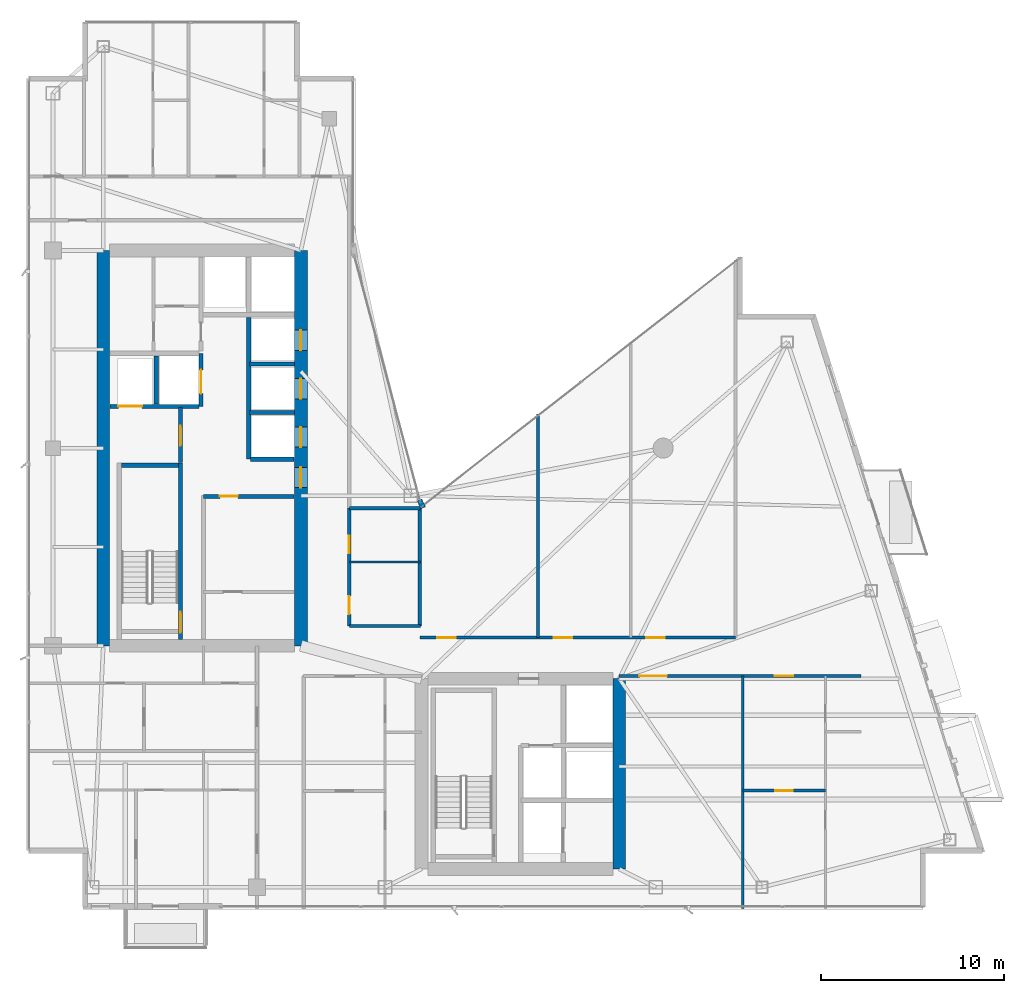
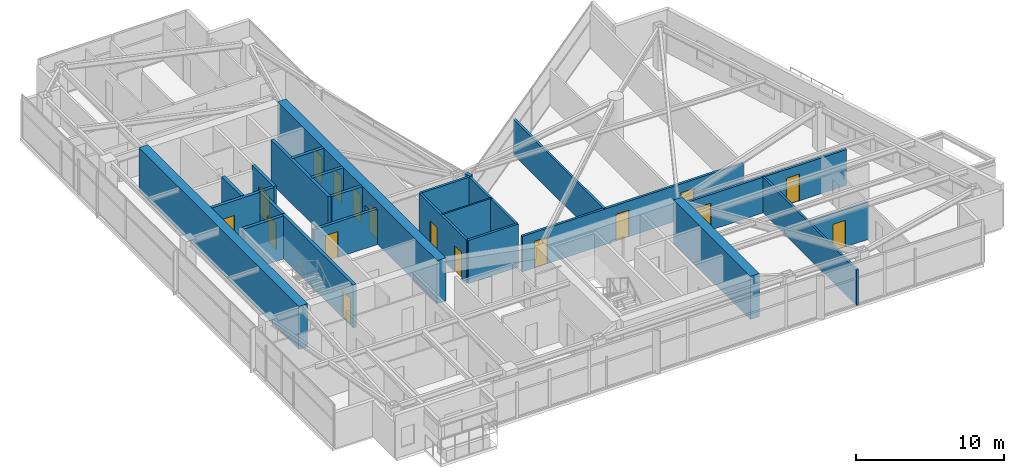
# One storey, part 24 of 29: 25 walls, 17 doors, 17 openings.
"""IFC4 building model written with IfcOpenShell, lengths in metres."""

from ifc_helpers import new_model, si_unit, direction, frame, frame_2d, origin, place, context, subcontext, project, spatial, rectangle, extrude, material, layer, layer_set, type_object, element, fill, save


model = new_model("IFC4")

# Units and contexts
model_context = context("Model", 3, precision=1e-05, world=origin(), true_north=direction((0.0, 1.0)))
body_context = subcontext(model_context, "Body", "Model", "MODEL_VIEW")
ifc_project = project(units=[si_unit("LENGTHUNIT", "METRE"), si_unit("AREAUNIT", "SQUARE_METRE"), si_unit("VOLUMEUNIT", "CUBIC_METRE"), si_unit("PLANEANGLEUNIT", "RADIAN"), si_unit("MASSUNIT", "GRAM", prefix="KILO")], contexts=[model_context])

# Site, building, storey
site_placement = place(None, origin())
site = spatial("IfcSite", under=ifc_project, at=site_placement, CompositionType="ELEMENT")
building_placement = place(site_placement, origin())
building = spatial("IfcBuilding", under=site, at=building_placement, Name="Calvorn Quay Hotel", CompositionType="ELEMENT")
storey_placement = place(building_placement, frame((0.0, 0.0, 211.0)))
storey = spatial("IfcBuildingStorey", under=building, at=storey_placement, Name="L52", CompositionType="ELEMENT", Elevation=211.0)

# Wall
ifc_material_1 = material(Name="Concrete C45", Category="concrete")
ifc_layer_1 = layer(ifc_material_1, 0.699951171875)
ifc_layer_set_1 = layer_set([ifc_layer_1], Name="WL-CORE-700")
wall_type_1 = type_object("IfcWallType", Name="WL-CORE-700", PredefinedType="SHEAR", material=ifc_layer_set_1)
wall_1_placement = place(storey_placement, frame((4.199951171875, 16.800048828125, 0.0), z_axis=(0.0, 0.0, 1.0), x_axis=(0.0, 1.0, 0.0)))
element("IfcWall", 1, at=wall_1_placement, inside=storey, type_object=wall_type_1, Name="West Core Shear Wall W (L52)", PredefinedType="SHEAR", context=body_context, shape_type="SweptSolid", body=[
    extrude(rectangle(XDim=21.599853515625, YDim=0.699951171875, at=frame_2d((10.7998046875, 0.0))), origin(), (0.0, 0.0, 1.0), 3.56005859375),
])

# Wall, openings, doors
wall_2_placement = place(storey_placement, frame((15.0, 16.800048828125, 0.0), z_axis=(0.0, 0.0, 1.0), x_axis=(0.0, 1.0, 0.0)))
wall_2 = element("IfcWall", 2, at=wall_2_placement, inside=storey, type_object=wall_type_1, Name="West Core Shear Wall E (L52)", PredefinedType="SHEAR", context=body_context, shape_type="SweptSolid", body=[
    extrude(rectangle(XDim=21.599853515625, YDim=0.699951171875, at=frame_2d((10.7998046875, 0.0))), origin(), (0.0, 0.0, 1.0), 3.56005859375),
])
opening_1_placement = place(wall_2_placement, frame((8.64990234375, 0.0, 0.0)))
opening_1 = element("IfcOpeningElement", 3, at=opening_1_placement, cuts=wall_2, Name="Opening D-L52-CW1", PredefinedType="OPENING", context=body_context, shape_type="SweptSolid", body=[
    extrude(rectangle(XDim=1.10009765625, YDim=2.199951171875, at=frame_2d((0.550048828125, 1.10009765625))), frame((0.0, 0.35986328125, 0.0), z_axis=(0.0, -1.0, 0.0), x_axis=(1.0, 0.0, 0.0)), (0.0, 0.0, 1.0), 0.719970703125),
])
opening_2_placement = place(wall_2_placement, frame((10.85009765625, 0.0, 0.0)))
opening_2 = element("IfcOpeningElement", 4, at=opening_2_placement, cuts=wall_2, Name="Opening LD-L52-M1", PredefinedType="OPENING", context=body_context, shape_type="SweptSolid", body=[
    extrude(rectangle(XDim=1.10009765625, YDim=2.199951171875, at=frame_2d((0.550048828125, 1.10009765625))), frame((0.0, 0.35986328125, 0.0), z_axis=(0.0, -1.0, 0.0), x_axis=(1.0, 0.0, 0.0)), (0.0, 0.0, 1.0), 0.719970703125),
])
opening_3_placement = place(wall_2_placement, frame((13.5, 0.0, 0.0)))
opening_3 = element("IfcOpeningElement", 5, at=opening_3_placement, cuts=wall_2, Name="Opening LD-L52-M2", PredefinedType="OPENING", context=body_context, shape_type="SweptSolid", body=[
    extrude(rectangle(XDim=1.10009765625, YDim=2.199951171875, at=frame_2d((0.550048828125, 1.10009765625))), frame((0.0, 0.35986328125, 0.0), z_axis=(0.0, -1.0, 0.0), x_axis=(1.0, 0.0, 0.0)), (0.0, 0.0, 1.0), 0.719970703125),
])
opening_4_placement = place(wall_2_placement, frame((16.14990234375, 0.0, 0.0)))
opening_4 = element("IfcOpeningElement", 6, at=opening_4_placement, cuts=wall_2, Name="Opening LD-L52-M3", PredefinedType="OPENING", context=body_context, shape_type="SweptSolid", body=[
    extrude(rectangle(XDim=1.10009765625, YDim=2.199951171875, at=frame_2d((0.550048828125, 1.10009765625))), frame((0.0, 0.35986328125, 0.0), z_axis=(0.0, -1.0, 0.0), x_axis=(1.0, 0.0, 0.0)), (0.0, 0.0, 1.0), 0.719970703125),
])
ifc_material_2 = material(Name="Smoke-Sealed Steel Class A Fire Door", Category="steel")
door_type_1 = type_object("IfcDoorType", Name="DR-FFLOBBY-1100", OperationType="NOTDEFINED", PredefinedType="DOOR", material=ifc_material_2)
door_1_placement = place(opening_1_placement, origin())
door_1 = element("IfcDoor", 7, at=door_1_placement, inside=storey, type_object=door_type_1, Name="West Core Vestibule Fire Door (L52)", OperationType="SINGLE_SWING_LEFT", OverallHeight=2.199951171875, OverallWidth=1.10009765625, PredefinedType="DOOR", context=body_context, shape_type="SweptSolid", body=[
    extrude(rectangle(XDim=1.10009765625, YDim=2.199951171875, at=frame_2d((0.550048828125, 1.10009765625))), frame((0.0, 0.02490234375, 0.0), z_axis=(0.0, -1.0, 0.0), x_axis=(1.0, 0.0, 0.0)), (0.0, 0.0, 1.0), 0.050048828125),
])
fill(opening_1, door_1)
ifc_material_3 = material(Name="Brushed Stainless Steel Sliding Lift Landing Door", Category="steel")
door_type_2 = type_object("IfcDoorType", Name="DR-LIFT-PASS-1100", OperationType="NOTDEFINED", PredefinedType="DOOR", material=ifc_material_3)
door_2_placement = place(opening_2_placement, origin())
door_2 = element("IfcDoor", 8, at=door_2_placement, inside=storey, type_object=door_type_2, Name="Mid-Rise Lift PL-M1 Landing Door (L52)", OperationType="DOUBLE_DOOR_SLIDING", OverallHeight=2.199951171875, OverallWidth=1.10009765625, PredefinedType="DOOR", context=body_context, shape_type="SweptSolid", body=[
    extrude(rectangle(XDim=1.10009765625, YDim=2.199951171875, at=frame_2d((0.550048828125, 1.10009765625))), frame((0.0, 0.02490234375, 0.0), z_axis=(0.0, -1.0, 0.0), x_axis=(1.0, 0.0, 0.0)), (0.0, 0.0, 1.0), 0.050048828125),
])
fill(opening_2, door_2)
door_3_placement = place(opening_3_placement, origin())
door_3 = element("IfcDoor", 9, at=door_3_placement, inside=storey, type_object=door_type_2, Name="Mid-Rise Lift PL-M2 Landing Door (L52)", OperationType="DOUBLE_DOOR_SLIDING", OverallHeight=2.199951171875, OverallWidth=1.10009765625, PredefinedType="DOOR", context=body_context, shape_type="SweptSolid", body=[
    extrude(rectangle(XDim=1.10009765625, YDim=2.199951171875, at=frame_2d((0.550048828125, 1.10009765625))), frame((0.0, 0.02490234375, 0.0), z_axis=(0.0, -1.0, 0.0), x_axis=(1.0, 0.0, 0.0)), (0.0, 0.0, 1.0), 0.050048828125),
])
fill(opening_3, door_3)
door_4_placement = place(opening_4_placement, origin())
door_4 = element("IfcDoor", 10, at=door_4_placement, inside=storey, type_object=door_type_2, Name="Mid-Rise Lift PL-M3 Landing Door (L52)", OperationType="DOUBLE_DOOR_SLIDING", OverallHeight=2.199951171875, OverallWidth=1.10009765625, PredefinedType="DOOR", context=body_context, shape_type="SweptSolid", body=[
    extrude(rectangle(XDim=1.10009765625, YDim=2.199951171875, at=frame_2d((0.550048828125, 1.10009765625))), frame((0.0, 0.02490234375, 0.0), z_axis=(0.0, -1.0, 0.0), x_axis=(1.0, 0.0, 0.0)), (0.0, 0.0, 1.0), 0.050048828125),
])
fill(opening_4, door_4)

# Walls
wall_3_placement = place(storey_placement, frame((32.39990234375, 4.60009765625, 0.0), z_axis=(0.0, 0.0, 1.0), x_axis=(0.0, 1.0, 0.0)))
element("IfcWall", 11, at=wall_3_placement, inside=storey, type_object=wall_type_1, Name="East Core Shear Wall E (L52)", PredefinedType="SHEAR", context=body_context, shape_type="SweptSolid", body=[
    extrude(rectangle(XDim=10.39990234375, YDim=0.699951171875, at=frame_2d((5.199951171875, 0.0))), origin(), (0.0, 0.0, 1.0), 3.56005859375),
])
ifc_material_4 = material(Name="Acoustic Fireboard Steel-Stud Partition", Category="steel")
ifc_layer_2 = layer(ifc_material_4, 0.179931640625)
ifc_layer_set_2 = layer_set([ifc_layer_2], Name="WL-CORR-FIRE-180")
wall_type_2 = type_object("IfcWallType", Name="WL-CORR-FIRE-180", PredefinedType="PARTITIONING", material=ifc_layer_set_2)
wall_4_placement = place(storey_placement, frame((17.64990234375, 17.8798828125, 0.0), z_axis=(0.0, 0.0, 1.0), x_axis=(1.0, 0.0, 0.0)))
element("IfcWall", 12, at=wall_4_placement, inside=storey, type_object=wall_type_2, Name="Partition Wall L52-WL-HK-S", PredefinedType="PARTITIONING", context=body_context, shape_type="SweptSolid", body=[
    extrude(rectangle(XDim=3.900146484375, YDim=0.179931640625, at=frame_2d((1.9501953125, 0.0))), origin(), (0.0, 0.0, 1.0), 3.56005859375),
])
wall_5_placement = place(storey_placement, frame((17.64990234375, 24.320068359375, 0.0), z_axis=(0.0, 0.0, 1.0), x_axis=(1.0, 0.0, 0.0)))
element("IfcWall", 13, at=wall_5_placement, inside=storey, type_object=wall_type_2, Name="Partition Wall L52-WL-HK-N", PredefinedType="PARTITIONING", context=body_context, shape_type="SweptSolid", body=[
    extrude(rectangle(XDim=3.9501953125, YDim=0.179931640625, at=frame_2d((1.97509765625, 0.0))), origin(), (0.0, 0.0, 1.0), 3.56005859375),
])
wall_6_placement = place(storey_placement, frame((21.5, 17.8798828125, 0.0), z_axis=(0.0, 0.0, 1.0), x_axis=(0.0, 1.0, 0.0)))
element("IfcWall", 14, at=wall_6_placement, inside=storey, type_object=wall_type_2, Name="Partition Wall L52-WL-HK-E", PredefinedType="PARTITIONING", context=body_context, shape_type="SweptSolid", body=[
    extrude(rectangle(XDim=6.440185546875, YDim=0.179931640625, at=frame_2d((3.22021484375, 0.0))), origin(), (0.0, 0.0, 1.0), 3.56005859375),
])

# Wall, openings, doors
wall_7_placement = place(storey_placement, frame((17.64990234375, 17.8798828125, 0.0), z_axis=(0.0, 0.0, 1.0), x_axis=(0.0, 1.0, 0.0)))
wall_7 = element("IfcWall", 15, at=wall_7_placement, inside=storey, type_object=wall_type_2, Name="Partition Wall L52-WL-HK-W", PredefinedType="PARTITIONING", context=body_context, shape_type="SweptSolid", body=[
    extrude(rectangle(XDim=6.440185546875, YDim=0.179931640625, at=frame_2d((3.22021484375, 0.0))), origin(), (0.0, 0.0, 1.0), 3.56005859375),
])
opening_5_placement = place(wall_7_placement, frame((0.64990234375, 0.0, 0.0)))
opening_5 = element("IfcOpeningElement", 16, at=opening_5_placement, cuts=wall_7, Name="Opening D-L52-HK", PredefinedType="OPENING", context=body_context, shape_type="SweptSolid", body=[
    extrude(rectangle(XDim=0.97998046875, YDim=2.14990234375, at=frame_2d((0.489990234375, 1.074951171875))), frame((0.0, 0.099853515625, 0.0), z_axis=(0.0, -1.0, 0.0), x_axis=(1.0, 0.0, 0.0)), (0.0, 0.0, 1.0), 0.199951171875),
])
opening_6_placement = place(wall_7_placement, frame((3.969970703125, 0.0, 0.0)))
opening_6 = element("IfcOpeningElement", 17, at=opening_6_placement, cuts=wall_7, Name="Opening D-L52-NCP", PredefinedType="OPENING", context=body_context, shape_type="SweptSolid", body=[
    extrude(rectangle(XDim=0.9599609375, YDim=2.199951171875, at=frame_2d((0.47998046875, 1.10009765625))), frame((0.0, 0.099853515625, 0.0), z_axis=(0.0, -1.0, 0.0), x_axis=(1.0, 0.0, 0.0)), (0.0, 0.0, 1.0), 0.199951171875),
])
ifc_material_5 = material(Name="Painted Steel Housekeeping/Riser Fire Door", Category="steel")
door_type_3 = type_object("IfcDoorType", Name="DR-SERVICE-980", OperationType="NOTDEFINED", PredefinedType="DOOR", material=ifc_material_5)
door_5_placement = place(opening_5_placement, origin())
door_5 = element("IfcDoor", 18, at=door_5_placement, inside=storey, type_object=door_type_3, Name="Floor Housekeeping Door (L52)", OperationType="SINGLE_SWING_LEFT", OverallHeight=2.14990234375, OverallWidth=0.97998046875, PredefinedType="DOOR", context=body_context, shape_type="SweptSolid", body=[
    extrude(rectangle(XDim=0.97998046875, YDim=2.14990234375, at=frame_2d((0.489990234375, 1.074951171875))), frame((0.0, 0.02490234375, 0.0), z_axis=(0.0, -1.0, 0.0), x_axis=(1.0, 0.0, 0.0)), (0.0, 0.0, 1.0), 0.050048828125),
])
fill(opening_5, door_5)
ifc_material_6 = material(Name="Solid Timber Internal Suite Door", Category="wood")
door_type_4 = type_object("IfcDoorType", Name="DR-SUITE-INT-960", OperationType="NOTDEFINED", PredefinedType="DOOR", material=ifc_material_6)
door_6_placement = place(opening_6_placement, origin())
door_6 = element("IfcDoor", 19, at=door_6_placement, inside=storey, type_object=door_type_4, Name="Reading Alcove Door (L52)", OperationType="SINGLE_SWING_RIGHT", OverallHeight=2.199951171875, OverallWidth=0.9599609375, PredefinedType="DOOR", context=body_context, shape_type="SweptSolid", body=[
    extrude(rectangle(XDim=0.9599609375, YDim=2.199951171875, at=frame_2d((0.47998046875, 1.10009765625))), frame((0.0, 0.02490234375, 0.0), z_axis=(0.0, -1.0, 0.0), x_axis=(1.0, 0.0, 0.0)), (0.0, 0.0, 1.0), 0.050048828125),
])
fill(opening_6, door_6)

wall_8_placement = place(storey_placement, frame((32.39990234375, 15.14990234375, 0.0), z_axis=(0.0, 0.0, 1.0), x_axis=(1.0, 0.0, 0.0)))
wall_8 = element("IfcWall", 20, at=wall_8_placement, inside=storey, type_object=wall_type_2, Name="Partition Wall L52-WL-CORR-SE-S", PredefinedType="PARTITIONING", context=body_context, shape_type="SweptSolid", body=[
    extrude(rectangle(XDim=13.2001953125, YDim=0.179931640625, at=frame_2d((6.60009765625, 0.0))), origin(), (0.0, 0.0, 1.0), 2.93994140625),
])
opening_7_placement = place(wall_8_placement, frame((1.10009765625, 0.0, 0.0)))
opening_7 = element("IfcOpeningElement", 21, at=opening_7_placement, cuts=wall_8, Name="Opening D-L52-SEM", PredefinedType="OPENING", context=body_context, shape_type="SweptSolid", body=[
    extrude(rectangle(XDim=1.5, YDim=2.219970703125, at=frame_2d((0.75, 1.10986328125))), frame((0.0, 0.099853515625, 0.0), z_axis=(0.0, -1.0, 0.0), x_axis=(1.0, 0.0, 0.0)), (0.0, 0.0, 1.0), 0.199951171875),
])
opening_8_placement = place(wall_8_placement, frame((8.5, 0.0, 0.0)))
opening_8 = element("IfcOpeningElement", 22, at=opening_8_placement, cuts=wall_8, Name="Opening D-L52-U06", PredefinedType="OPENING", context=body_context, shape_type="SweptSolid", body=[
    extrude(rectangle(XDim=1.02001953125, YDim=2.199951171875, at=frame_2d((0.510009765625, 1.10009765625))), frame((0.0, 0.099853515625, 0.0), z_axis=(0.0, -1.0, 0.0), x_axis=(1.0, 0.0, 0.0)), (0.0, 0.0, 1.0), 0.199951171875),
])
ifc_material_7 = material(Name="Solid-Core Walnut Veneer Hotel Fire Door")
door_type_5 = type_object("IfcDoorType", Name="DR-GUEST-ENTRY-1020", OperationType="NOTDEFINED", PredefinedType="DOOR", material=ifc_material_7)
door_7_placement = place(opening_8_placement, origin())
door_7 = element("IfcDoor", 23, at=door_7_placement, inside=storey, type_object=door_type_5, Name="South-East Unit Door U06 (L52)", OperationType="SINGLE_SWING_RIGHT", OverallHeight=2.199951171875, OverallWidth=1.02001953125, PredefinedType="DOOR", context=body_context, shape_type="SweptSolid", body=[
    extrude(rectangle(XDim=1.02001953125, YDim=2.199951171875, at=frame_2d((0.510009765625, 1.10009765625))), frame((0.0, 0.02490234375, 0.0), z_axis=(0.0, -1.0, 0.0), x_axis=(1.0, 0.0, 0.0)), (0.0, 0.0, 1.0), 0.050048828125),
])
fill(opening_8, door_7)
ifc_material_8 = material(Name="Solid-Core Walnut Double Suite Entry Door")
door_type_6 = type_object("IfcDoorType", Name="DR-SUITE-DBL-1500", OperationType="NOTDEFINED", PredefinedType="DOOR", material=ifc_material_8)
door_8_placement = place(opening_7_placement, origin())
door_8 = element("IfcDoor", 24, at=door_8_placement, inside=storey, type_object=door_type_6, Name="Conference Salon Door (L52)", OperationType="SINGLE_SWING_LEFT", OverallHeight=2.219970703125, OverallWidth=1.5, PredefinedType="DOOR", context=body_context, shape_type="SweptSolid", body=[
    extrude(rectangle(XDim=1.5, YDim=2.219970703125, at=frame_2d((0.75, 1.10986328125))), frame((0.0, 0.02490234375, 0.0), z_axis=(0.0, -1.0, 0.0), x_axis=(1.0, 0.0, 0.0)), (0.0, 0.0, 1.0), 0.050048828125),
])
fill(opening_7, door_8)

wall_9_placement = place(storey_placement, frame((21.5, 17.25, 0.0), z_axis=(0.0, 0.0, 1.0), x_axis=(1.0, 0.0, 0.0)))
wall_9 = element("IfcWall", 25, at=wall_9_placement, inside=storey, type_object=wall_type_2, Name="Partition Wall L52-WL-CORR-NE-N", PredefinedType="PARTITIONING", context=body_context, shape_type="SweptSolid", body=[
    extrude(rectangle(XDim=17.25, YDim=0.179931640625, at=frame_2d((8.625, 0.0))), origin(), (0.0, 0.0, 1.0), 2.93994140625),
])
opening_9_placement = place(wall_9_placement, frame((0.949951171875, 0.0, 0.0)))
opening_9 = element("IfcOpeningElement", 26, at=opening_9_placement, cuts=wall_9, Name="Opening D-L52-NS1", PredefinedType="OPENING", context=body_context, shape_type="SweptSolid", body=[
    extrude(rectangle(XDim=1.02001953125, YDim=2.199951171875, at=frame_2d((0.510009765625, 1.10009765625))), frame((0.0, 0.099853515625, 0.0), z_axis=(0.0, -1.0, 0.0), x_axis=(1.0, 0.0, 0.0)), (0.0, 0.0, 1.0), 0.199951171875),
])
opening_10_placement = place(wall_9_placement, frame((7.320068359375, 0.0, 0.0)))
opening_10 = element("IfcOpeningElement", 27, at=opening_10_placement, cuts=wall_9, Name="Opening D-L52-NS2", PredefinedType="OPENING", context=body_context, shape_type="SweptSolid", body=[
    extrude(rectangle(XDim=1.02001953125, YDim=2.199951171875, at=frame_2d((0.510009765625, 1.10009765625))), frame((0.0, 0.099853515625, 0.0), z_axis=(0.0, -1.0, 0.0), x_axis=(1.0, 0.0, 0.0)), (0.0, 0.0, 1.0), 0.199951171875),
])
opening_11_placement = place(wall_9_placement, frame((12.3798828125, 0.0, 0.0)))
opening_11 = element("IfcOpeningElement", 28, at=opening_11_placement, cuts=wall_9, Name="Opening D-L52-NS3", PredefinedType="OPENING", context=body_context, shape_type="SweptSolid", body=[
    extrude(rectangle(XDim=1.02001953125, YDim=2.199951171875, at=frame_2d((0.510009765625, 1.10009765625))), frame((0.0, 0.099853515625, 0.0), z_axis=(0.0, -1.0, 0.0), x_axis=(1.0, 0.0, 0.0)), (0.0, 0.0, 1.0), 0.199951171875),
])
door_9_placement = place(opening_9_placement, origin())
door_9 = element("IfcDoor", 29, at=door_9_placement, inside=storey, type_object=door_type_5, Name="Conservatory Salon Door 1 (L52)", OperationType="SINGLE_SWING_RIGHT", OverallHeight=2.199951171875, OverallWidth=1.02001953125, PredefinedType="DOOR", context=body_context, shape_type="SweptSolid", body=[
    extrude(rectangle(XDim=1.02001953125, YDim=2.199951171875, at=frame_2d((0.510009765625, 1.10009765625))), frame((0.0, 0.02490234375, 0.0), z_axis=(0.0, -1.0, 0.0), x_axis=(1.0, 0.0, 0.0)), (0.0, 0.0, 1.0), 0.050048828125),
])
fill(opening_9, door_9)
door_10_placement = place(opening_10_placement, origin())
door_10 = element("IfcDoor", 30, at=door_10_placement, inside=storey, type_object=door_type_5, Name="Conservatory Salon Door 2 (L52)", OperationType="SINGLE_SWING_LEFT", OverallHeight=2.199951171875, OverallWidth=1.02001953125, PredefinedType="DOOR", context=body_context, shape_type="SweptSolid", body=[
    extrude(rectangle(XDim=1.02001953125, YDim=2.199951171875, at=frame_2d((0.510009765625, 1.10009765625))), frame((0.0, 0.02490234375, 0.0), z_axis=(0.0, -1.0, 0.0), x_axis=(1.0, 0.0, 0.0)), (0.0, 0.0, 1.0), 0.050048828125),
])
fill(opening_10, door_10)
door_11_placement = place(opening_11_placement, origin())
door_11 = element("IfcDoor", 31, at=door_11_placement, inside=storey, type_object=door_type_5, Name="Conservatory Salon Door 3 (L52)", OperationType="SINGLE_SWING_RIGHT", OverallHeight=2.199951171875, OverallWidth=1.02001953125, PredefinedType="DOOR", context=body_context, shape_type="SweptSolid", body=[
    extrude(rectangle(XDim=1.02001953125, YDim=2.199951171875, at=frame_2d((0.510009765625, 1.10009765625))), frame((0.0, 0.02490234375, 0.0), z_axis=(0.0, -1.0, 0.0), x_axis=(1.0, 0.0, 0.0)), (0.0, 0.0, 1.0), 0.050048828125),
])
fill(opening_11, door_11)

# Walls
ifc_material_9 = material(Name="Moisture-Resistant Tile-Backed Partition")
ifc_layer_3 = layer(ifc_material_9, 0.125)
ifc_layer_set_3 = layer_set([ifc_layer_3], Name="WL-ENSUITE-125")
wall_type_3 = type_object("IfcWallType", Name="WL-ENSUITE-125", PredefinedType="PARTITIONING", material=ifc_layer_set_3)
wall_10_placement = place(storey_placement, frame((17.64990234375, 21.3798828125, 0.0), z_axis=(0.0, 0.0, 1.0), x_axis=(1.0, 0.0, 0.0)))
element("IfcWall", 32, at=wall_10_placement, inside=storey, type_object=wall_type_3, Name="Partition Wall L52-WL-HK-M", PredefinedType="PARTITIONING", context=body_context, shape_type="SweptSolid", body=[
    extrude(rectangle(XDim=3.900146484375, YDim=0.125, at=frame_2d((1.9501953125, 0.0))), origin(), (0.0, 0.0, 1.0), 3.56005859375),
])
ifc_material_10 = material(Name="Concrete C40", Category="concrete")
ifc_layer_4 = layer(ifc_material_10, 0.320068359375)
ifc_layer_set_4 = layer_set([ifc_layer_4], Name="WL-EXT-SPANDREL-320")
wall_type_4 = type_object("IfcWallType", Name="WL-EXT-SPANDREL-320", PredefinedType="SOLIDWALL", material=ifc_layer_set_4)
wall_11_placement = place(storey_placement, frame((21.679931640625, 24.340087890625, 0.0), z_axis=(0.0, 0.0, 1.0), x_axis=(-0.40758134973, 0.913168901875, 0.0)))
element("IfcWall", 33, at=wall_11_placement, inside=storey, type_object=wall_type_4, Name="Inner Court Corner Pier L52-ICJ1", PredefinedType="SOLIDWALL", context=body_context, shape_type="SweptSolid", body=[
    extrude(rectangle(XDim=0.470703125, YDim=0.280029296875, at=frame_2d((0.2353515625, 0.0))), origin(), (0.0, 0.0, 1.0), 3.56005859375),
])

# Wall, opening, door
ifc_material_11 = material(Name="Double-Stud Acoustic Gypsum Partition")
ifc_layer_5 = layer(ifc_material_11, 0.159912109375)
ifc_layer_set_5 = layer_set([ifc_layer_5], Name="WL-INTERSUITE-160")
wall_type_5 = type_object("IfcWallType", Name="WL-INTERSUITE-160", PredefinedType="PARTITIONING", material=ifc_layer_set_5)
wall_12_placement = place(storey_placement, frame((39.14990234375, 8.8798828125, 0.0), z_axis=(0.0, 0.0, 1.0), x_axis=(1.0, 0.0, 0.0)))
wall_12 = element("IfcWall", 34, at=wall_12_placement, inside=storey, type_object=wall_type_5, Name="Partition Wall L52-WL-U06-MSP", PredefinedType="PARTITIONING", context=body_context, shape_type="SweptSolid", body=[
    extrude(rectangle(XDim=4.52001953125, YDim=0.159912109375, at=frame_2d((2.260009765625, 0.0))), origin(), (0.0, 0.0, 1.0), 3.090087890625),
])
opening_12_placement = place(wall_12_placement, frame((1.780029296875, 0.0, 0.0)))
opening_12 = element("IfcOpeningElement", 35, at=opening_12_placement, cuts=wall_12, Name="Opening D-L52-M06", PredefinedType="OPENING", context=body_context, shape_type="SweptSolid", body=[
    extrude(rectangle(XDim=0.9599609375, YDim=2.199951171875, at=frame_2d((0.47998046875, 1.10009765625))), frame((0.0, 0.08984375, 0.0), z_axis=(0.0, -1.0, 0.0), x_axis=(1.0, 0.0, 0.0)), (0.0, 0.0, 1.0), 0.179931640625),
])
door_12_placement = place(opening_12_placement, origin())
door_12 = element("IfcDoor", 36, at=door_12_placement, inside=storey, type_object=door_type_4, Name="Suite Bedroom Door 06", OperationType="SINGLE_SWING_LEFT", OverallHeight=2.199951171875, OverallWidth=0.9599609375, PredefinedType="DOOR", context=body_context, shape_type="SweptSolid", body=[
    extrude(rectangle(XDim=0.9599609375, YDim=2.199951171875, at=frame_2d((0.47998046875, 1.10009765625))), frame((0.0, 0.02490234375, 0.0), z_axis=(0.0, -1.0, 0.0), x_axis=(1.0, 0.0, 0.0)), (0.0, 0.0, 1.0), 0.050048828125),
])
fill(opening_12, door_12)

# Walls
wall_13_placement = place(storey_placement, frame((39.14990234375, 2.43994140625, 0.0), z_axis=(0.0, 0.0, 1.0), x_axis=(0.0, 1.0, 0.0)))
element("IfcWall", 37, at=wall_13_placement, inside=storey, type_object=wall_type_5, Name="Partition Wall L52-WL-SE-DIV-1", PredefinedType="PARTITIONING", context=body_context, shape_type="SweptSolid", body=[
    extrude(rectangle(XDim=12.7099609375, YDim=0.159912109375, at=frame_2d((6.35498046875, 0.0))), origin(), (0.0, 0.0, 1.0), 2.93994140625),
])
wall_14_placement = place(storey_placement, frame((27.969970703125, 17.25, 0.0), z_axis=(0.0, 0.0, 1.0), x_axis=(0.0, 1.0, 0.0)))
element("IfcWall", 38, at=wall_14_placement, inside=storey, type_object=wall_type_5, Name="Partition Wall L52-WL-NE-DIV-1", PredefinedType="PARTITIONING", context=body_context, shape_type="SweptSolid", body=[
    extrude(rectangle(XDim=12.2099609375, YDim=0.159912109375, at=frame_2d((6.10498046875, 0.0))), origin(), (0.0, 0.0, 1.0), 2.93994140625),
])

# Wall, opening, door
ifc_material_12 = material(Name="Autoclaved Aerated Masonry Block", Category="masonry")
ifc_layer_6 = layer(ifc_material_12, 0.219970703125)
ifc_layer_set_6 = layer_set([ifc_layer_6], Name="WL-LOBBY-FIRE-220")
wall_type_6 = type_object("IfcWallType", Name="WL-LOBBY-FIRE-220", PredefinedType="SOLIDWALL", material=ifc_layer_set_6)
wall_15_placement = place(storey_placement, frame((9.679931640625, 24.969970703125, 0.0), z_axis=(0.0, 0.0, 1.0), x_axis=(1.0, 0.0, 0.0)))
wall_15 = element("IfcWall", 39, at=wall_15_placement, inside=storey, type_object=wall_type_6, Name="Partition Wall L52-WL-CWW-FR-N", PredefinedType="SOLIDWALL", context=body_context, shape_type="SweptSolid", body=[
    extrude(rectangle(XDim=4.949951171875, YDim=0.219970703125, at=frame_2d((2.47509765625, 0.0))), origin(), (0.0, 0.0, 1.0), 2.93994140625),
])
opening_13_placement = place(wall_15_placement, frame((0.89990234375, 0.0, 0.0)))
opening_13 = element("IfcOpeningElement", 40, at=opening_13_placement, cuts=wall_15, Name="Opening D-L52-FRL2", PredefinedType="OPENING", context=body_context, shape_type="SweptSolid", body=[
    extrude(rectangle(XDim=0.97998046875, YDim=2.14990234375, at=frame_2d((0.489990234375, 1.074951171875))), frame((0.0, 0.119873046875, 0.0), z_axis=(0.0, -1.0, 0.0), x_axis=(1.0, 0.0, 0.0)), (0.0, 0.0, 1.0), 0.239990234375),
])
door_13_placement = place(opening_13_placement, origin())
door_13 = element("IfcDoor", 41, at=door_13_placement, inside=storey, type_object=door_type_3, Name="Beverage Pantry Door (L52)", OperationType="SINGLE_SWING_RIGHT", OverallHeight=2.14990234375, OverallWidth=0.97998046875, PredefinedType="DOOR", context=body_context, shape_type="SweptSolid", body=[
    extrude(rectangle(XDim=0.97998046875, YDim=2.14990234375, at=frame_2d((0.489990234375, 1.074951171875))), frame((0.0, 0.02490234375, 0.0), z_axis=(0.0, -1.0, 0.0), x_axis=(1.0, 0.0, 0.0)), (0.0, 0.0, 1.0), 0.050048828125),
])
fill(opening_13, door_13)

ifc_material_13 = material(Name="Concrete C40", Category="concrete")
ifc_layer_7 = layer(ifc_material_13, 0.239990234375)
ifc_layer_set_7 = layer_set([ifc_layer_7], Name="WL-SHAFT-240")
wall_type_7 = type_object("IfcWallType", Name="WL-SHAFT-240", PredefinedType="SOLIDWALL", material=ifc_layer_set_7)
wall_16_placement = place(storey_placement, frame((8.419921875, 17.14990234375, 0.0), z_axis=(0.0, 0.0, 1.0), x_axis=(0.0, 1.0, 0.0)))
wall_16 = element("IfcWall", 42, at=wall_16_placement, inside=storey, type_object=wall_type_7, Name="Stair STW Shaft Wall E (L52)", PredefinedType="SOLIDWALL", context=body_context, shape_type="SweptSolid", body=[
    extrude(rectangle(XDim=9.64013671875, YDim=0.239990234375, at=frame_2d((4.820068359375, 0.0))), origin(), (0.0, 0.0, 1.0), 3.56005859375),
])
opening_14_placement = place(wall_16_placement, frame((0.35009765625, 0.0, 0.0)))
opening_14 = element("IfcOpeningElement", 43, at=opening_14_placement, cuts=wall_16, Name="Opening D-L52-STW", PredefinedType="OPENING", context=body_context, shape_type="SweptSolid", body=[
    extrude(rectangle(XDim=1.14990234375, YDim=2.199951171875, at=frame_2d((0.574951171875, 1.10009765625))), frame((0.0, 0.1298828125, 0.0), z_axis=(0.0, -1.0, 0.0), x_axis=(1.0, 0.0, 0.0)), (0.0, 0.0, 1.0), 0.260009765625),
])
ifc_material_14 = material(Name="Galvanised Steel Class A Fire Door", Category="steel")
door_type_7 = type_object("IfcDoorType", Name="DR-STAIR-SMOKE-1150", OperationType="NOTDEFINED", PredefinedType="DOOR", material=ifc_material_14)
door_14_placement = place(opening_14_placement, origin())
door_14 = element("IfcDoor", 44, at=door_14_placement, inside=storey, type_object=door_type_7, Name="Stair ST-W Fire Door (L52)", OperationType="SINGLE_SWING_LEFT", OverallHeight=2.199951171875, OverallWidth=1.14990234375, PredefinedType="DOOR", context=body_context, shape_type="SweptSolid", body=[
    extrude(rectangle(XDim=1.14990234375, YDim=2.199951171875, at=frame_2d((0.574951171875, 1.10009765625))), frame((0.0, 0.02490234375, 0.0), z_axis=(0.0, -1.0, 0.0), x_axis=(1.0, 0.0, 0.0)), (0.0, 0.0, 1.0), 0.050048828125),
])
fill(opening_14, door_14)

# Walls
wall_17_placement = place(storey_placement, frame((5.199951171875, 26.669921875, 0.0), z_axis=(0.0, 0.0, 1.0), x_axis=(1.0, 0.0, 0.0)))
element("IfcWall", 45, at=wall_17_placement, inside=storey, type_object=wall_type_7, Name="Stair STW Shaft Wall N (L52)", PredefinedType="SOLIDWALL", context=body_context, shape_type="SweptSolid", body=[
    extrude(rectangle(XDim=3.10009765625, YDim=0.239990234375, at=frame_2d((1.550048828125, 0.0))), origin(), (0.0, 0.0, 1.0), 3.56005859375),
])
for number, where, z_axis, x_axis, name in (
    (46, (12.179931640625, 29.550048828125, 0.0), (0.0, 0.0, 1.0), (1.0, 0.0, 0.0), "Lift Hoistway Divider Wall PLM12 (L52)"),
    (47, (12.179931640625, 32.199951171875, 0.0), (0.0, 0.0, 1.0), (1.0, 0.0, 0.0), "Lift Hoistway Divider Wall PLM23 (L52)"),
):
    element("IfcWall", number, at=place(storey_placement, frame(where, z_axis=z_axis, x_axis=x_axis)), inside=storey, type_object=wall_type_7, Name=name, PredefinedType="SOLIDWALL", context=body_context, shape_type="SweptSolid", body=[
        extrude(rectangle(XDim=2.469970703125, YDim=0.239990234375, at=frame_2d((1.23486328125, 0.0))), origin(), (0.0, 0.0, 1.0), 3.56005859375),
    ])

# Wall, opening, door
wall_18_placement = place(storey_placement, frame((8.419921875, 26.820068359375, 0.0), z_axis=(0.0, 0.0, 1.0), x_axis=(0.0, 1.0, 0.0)))
wall_18 = element("IfcWall", 48, at=wall_18_placement, inside=storey, type_object=wall_type_7, Name="Partition Wall L52-WL-CWW-FFL-E", PredefinedType="SOLIDWALL", context=body_context, shape_type="SweptSolid", body=[
    extrude(rectangle(XDim=3.0, YDim=0.239990234375, at=frame_2d((1.5, 0.0))), origin(), (0.0, 0.0, 1.0), 3.56005859375),
])
opening_15_placement = place(wall_18_placement, frame((0.89990234375, 0.0, 0.0)))
opening_15 = element("IfcOpeningElement", 49, at=opening_15_placement, cuts=wall_18, Name="Opening D-L52-FLW", PredefinedType="OPENING", context=body_context, shape_type="SweptSolid", body=[
    extrude(rectangle(XDim=1.10009765625, YDim=2.199951171875, at=frame_2d((0.550048828125, 1.10009765625))), frame((0.0, 0.1298828125, 0.0), z_axis=(0.0, -1.0, 0.0), x_axis=(1.0, 0.0, 0.0)), (0.0, 0.0, 1.0), 0.260009765625),
])
door_15_placement = place(opening_15_placement, origin())
door_15 = element("IfcDoor", 50, at=door_15_placement, inside=storey, type_object=door_type_1, Name="West Firefighting Lobby Fire Door (L52)", OperationType="SINGLE_SWING_RIGHT", OverallHeight=2.199951171875, OverallWidth=1.10009765625, PredefinedType="DOOR", context=body_context, shape_type="SweptSolid", body=[
    extrude(rectangle(XDim=1.10009765625, YDim=2.199951171875, at=frame_2d((0.550048828125, 1.10009765625))), frame((0.0, 0.02490234375, 0.0), z_axis=(0.0, -1.0, 0.0), x_axis=(1.0, 0.0, 0.0)), (0.0, 0.0, 1.0), 0.050048828125),
])
fill(opening_15, door_15)

wall_19_placement = place(storey_placement, frame((4.570068359375, 29.8798828125, 0.0), z_axis=(0.0, 0.0, 1.0), x_axis=(1.0, 0.0, 0.0)))
wall_19 = element("IfcWall", 51, at=wall_19_placement, inside=storey, type_object=wall_type_7, Name="Partition Wall L52-WL-CWW-FLW-S", PredefinedType="SOLIDWALL", context=body_context, shape_type="SweptSolid", body=[
    extrude(rectangle(XDim=4.849853515625, YDim=0.239990234375, at=frame_2d((2.4248046875, 0.0))), origin(), (0.0, 0.0, 1.0), 3.56005859375),
])
opening_16_placement = place(wall_19_placement, frame((0.449951171875, 0.0, 0.0)))
opening_16 = element("IfcOpeningElement", 52, at=opening_16_placement, cuts=wall_19, Name="Opening LD-L52-FLW1", PredefinedType="OPENING", context=body_context, shape_type="SweptSolid", body=[
    extrude(rectangle(XDim=1.300048828125, YDim=2.35009765625, at=frame_2d((0.64990234375, 1.175048828125))), frame((0.0, 0.1298828125, 0.0), z_axis=(0.0, -1.0, 0.0), x_axis=(1.0, 0.0, 0.0)), (0.0, 0.0, 1.0), 0.260009765625),
])
ifc_material_15 = material(Name="Champagne-Bronze Sliding Express Lift Landing Door")
door_type_8 = type_object("IfcDoorType", Name="DR-LIFT-SHUTTLE-1300", OperationType="NOTDEFINED", PredefinedType="DOOR", material=ifc_material_15)
door_16_placement = place(opening_16_placement, origin())
door_16 = element("IfcDoor", 53, at=door_16_placement, inside=storey, type_object=door_type_8, Name="Firefighting Lift FL-W1 Landing Door (L52)", OperationType="DOUBLE_DOOR_SLIDING", OverallHeight=2.35009765625, OverallWidth=1.300048828125, PredefinedType="DOOR", context=body_context, shape_type="SweptSolid", body=[
    extrude(rectangle(XDim=1.300048828125, YDim=2.35009765625, at=frame_2d((0.64990234375, 1.175048828125))), frame((0.0, 0.02490234375, 0.0), z_axis=(0.0, -1.0, 0.0), x_axis=(1.0, 0.0, 0.0)), (0.0, 0.0, 1.0), 0.050048828125),
])
fill(opening_16, door_16)

# Wall
wall_20_placement = place(storey_placement, frame((7.10009765625, 30.02001953125, 0.0), z_axis=(0.0, 0.0, 1.0), x_axis=(0.0, 1.0, 0.0)))
element("IfcWall", 54, at=wall_20_placement, inside=storey, type_object=wall_type_7, Name="Partition Wall L52-WL-CWW-FLW-DIV", PredefinedType="SOLIDWALL", context=body_context, shape_type="SweptSolid", body=[
    extrude(rectangle(XDim=2.6298828125, YDim=0.239990234375, at=frame_2d((1.31494140625, 0.0))), origin(), (0.0, 0.0, 1.0), 3.56005859375),
])

# Wall, opening, door
wall_21_placement = place(storey_placement, frame((9.5400390625, 29.8798828125, 0.0), z_axis=(0.0, 0.0, 1.0), x_axis=(0.0, 1.0, 0.0)))
wall_21 = element("IfcWall", 55, at=wall_21_placement, inside=storey, type_object=wall_type_7, Name="Partition Wall L52-WL-CWW-SLW-E", PredefinedType="SOLIDWALL", context=body_context, shape_type="SweptSolid", body=[
    extrude(rectangle(XDim=2.900146484375, YDim=0.239990234375, at=frame_2d((1.4501953125, 0.0))), origin(), (0.0, 0.0, 1.0), 3.56005859375),
])
opening_17_placement = place(wall_21_placement, frame((0.699951171875, 0.0, 0.0)))
opening_17 = element("IfcOpeningElement", 56, at=opening_17_placement, cuts=wall_21, Name="Opening LD-L52-SLW1", PredefinedType="OPENING", context=body_context, shape_type="SweptSolid", body=[
    extrude(rectangle(XDim=1.300048828125, YDim=2.35009765625, at=frame_2d((0.64990234375, 1.175048828125))), frame((0.0, 0.1298828125, 0.0), z_axis=(0.0, -1.0, 0.0), x_axis=(1.0, 0.0, 0.0)), (0.0, 0.0, 1.0), 0.260009765625),
])
door_17_placement = place(opening_17_placement, origin())
door_17 = element("IfcDoor", 57, at=door_17_placement, inside=storey, type_object=door_type_8, Name="Service Lift SL-W1 Landing Door (L52)", OperationType="DOUBLE_DOOR_SLIDING", OverallHeight=2.35009765625, OverallWidth=1.300048828125, PredefinedType="DOOR", context=body_context, shape_type="SweptSolid", body=[
    extrude(rectangle(XDim=1.300048828125, YDim=2.35009765625, at=frame_2d((0.64990234375, 1.175048828125))), frame((0.0, 0.02490234375, 0.0), z_axis=(0.0, -1.0, 0.0), x_axis=(1.0, 0.0, 0.0)), (0.0, 0.0, 1.0), 0.050048828125),
])
fill(opening_17, door_17)

# Walls
wall_22_placement = place(storey_placement, frame((12.25, 27.0, 0.0), z_axis=(0.0, 0.0, 1.0), x_axis=(1.0, 0.0, 0.0)))
element("IfcWall", 58, at=wall_22_placement, inside=storey, type_object=wall_type_7, Name="Partition Wall L52-WL-CWW-PLM-S", PredefinedType="SOLIDWALL", context=body_context, shape_type="SweptSolid", body=[
    extrude(rectangle(XDim=2.3798828125, YDim=0.239990234375, at=frame_2d((1.18994140625, 0.0))), origin(), (0.0, 0.0, 1.0), 3.56005859375),
])
wall_23_placement = place(storey_placement, frame((12.14990234375, 27.0, 0.0), z_axis=(0.0, 0.0, 1.0), x_axis=(0.0, 1.0, 0.0)))
element("IfcWall", 59, at=wall_23_placement, inside=storey, type_object=wall_type_7, Name="Partition Wall L52-WL-CWW-PLM-W", PredefinedType="SOLIDWALL", context=body_context, shape_type="SweptSolid", body=[
    extrude(rectangle(XDim=7.75, YDim=0.239990234375, at=frame_2d((3.875, 0.0))), origin(), (0.0, 0.0, 1.0), 3.56005859375),
])

save(model, "model.ifc")
